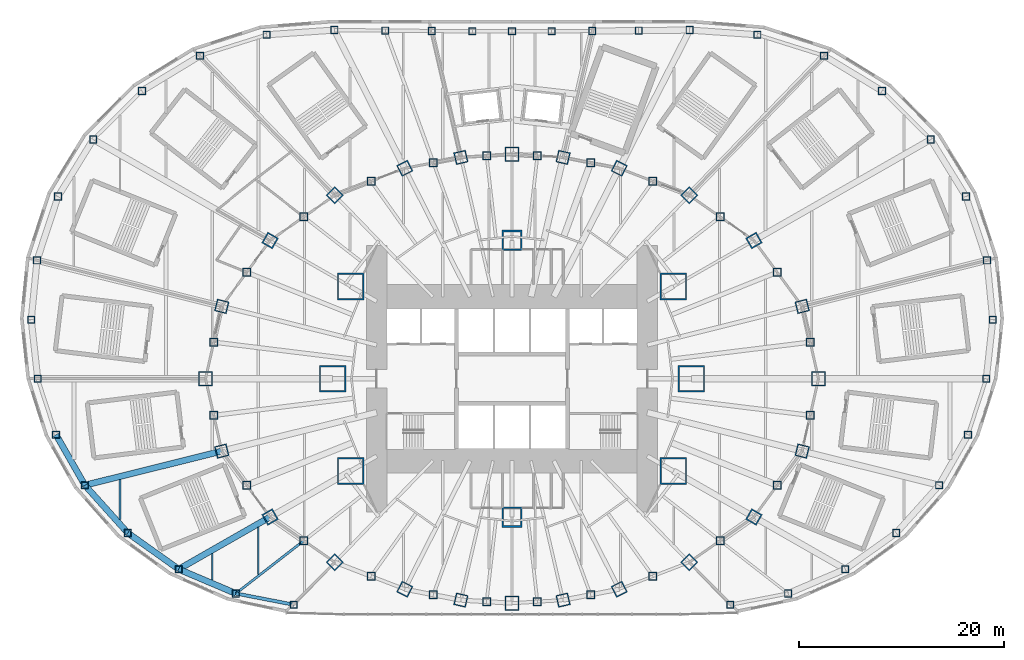
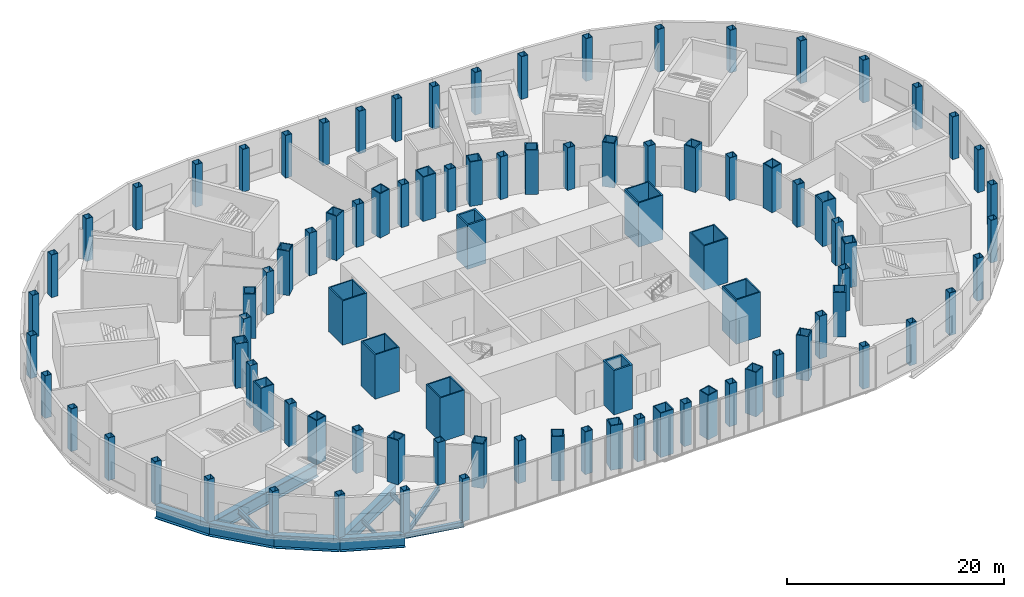
# One storey, part 1 of 73: 93 columns, 11 beams.
"""IFC4 building model written with IfcOpenShell, lengths in metres."""

from ifc_helpers import new_model, si_unit, direction, frame, origin, origin_2d, place, context, subcontext, project, spatial, rectangle, hollow_rectangle, i_section, extrude, material, material_profile, profile_set, type_object, element, save


model = new_model("IFC4")

# Units and contexts
model_context = context("Model", 3, precision=1e-05, world=origin(), true_north=direction((0.0, 1.0)))
body_context = subcontext(model_context, "Body", "Model", "MODEL_VIEW")
ifc_project = project(units=[si_unit("LENGTHUNIT", "METRE"), si_unit("AREAUNIT", "SQUARE_METRE"), si_unit("VOLUMEUNIT", "CUBIC_METRE"), si_unit("PLANEANGLEUNIT", "RADIAN"), si_unit("MASSUNIT", "GRAM", prefix="KILO")], contexts=[model_context])

# Site, building, storey
site_placement = place(None, origin())
site = spatial("IfcSite", under=ifc_project, at=site_placement, CompositionType="ELEMENT")
building_placement = place(site_placement, origin())
building = spatial("IfcBuilding", under=site, at=building_placement, Name="Lantaw Convention Tower", CompositionType="ELEMENT")
storey_placement = place(building_placement, frame((0.0, 0.0, 27.0)))
storey = spatial("IfcBuildingStorey", under=building, at=storey_placement, Name="L04", CompositionType="ELEMENT", Elevation=27.0)

# Columns
ifc_material_1 = material(Name="Steel EN 10025-3 S460N", Category="steel")
ifc_material_profile_1 = material_profile(ifc_material_1, hollow_rectangle(XDim=2.0, YDim=2.0, WallThickness=0.169921875, at=origin_2d()), Name="BOX2000X170")
ifc_material_2 = material(Name="Concrete C60/75", Category="concrete")
ifc_material_profile_2 = material_profile(ifc_material_2, rectangle(XDim=1.659912109375, YDim=1.659912109375, at=origin_2d()), Name="Concrete fill of BOX2000X170")
ifc_profile_set_1 = profile_set([ifc_material_profile_1, ifc_material_profile_2], Name="Steel EN 10025-3 S460N")
column_type_1 = type_object("IfcColumnType", Name="Column MC BOX2000X170", PredefinedType="COLUMN", material=ifc_profile_set_1)
for number, where, z_axis, x_axis, name in (
    (1, (0.0, 13.5, 0.0), (0.0, 0.0, 1.0), (1.0, 0.0, 0.0), "Mega column M3"),
    (2, (0.0, -13.5, 0.0), (0.0, 0.0, 1.0), (1.0, 0.0, 0.0), "Mega column M7"),
):
    element("IfcColumn", number, at=place(storey_placement, frame(where, z_axis=z_axis, x_axis=x_axis)), inside=storey, type_object=column_type_1, Name=name, PredefinedType="COLUMN", context=body_context, shape_type="SweptSolid", body=[
        extrude(hollow_rectangle(XDim=2.0, YDim=2.0, WallThickness=0.169921875, at=origin_2d()), origin(), (0.0, 0.0, 1.0), 5.0),
    ])
ifc_material_profile_3 = material_profile(ifc_material_1, hollow_rectangle(XDim=2.60009765625, YDim=2.60009765625, WallThickness=0.1298828125, at=origin_2d()), Name="BOX2600X130")
ifc_material_profile_4 = material_profile(ifc_material_2, rectangle(XDim=2.340087890625, YDim=2.340087890625, at=origin_2d()), Name="Concrete fill of BOX2600X130")
ifc_profile_set_2 = profile_set([ifc_material_profile_3, ifc_material_profile_4], Name="Steel EN 10025-3 S460N")
column_type_2 = type_object("IfcColumnType", Name="Column MC BOX2600X130", PredefinedType="COLUMN", material=ifc_profile_set_2)
for number, where, z_axis, x_axis, name in (
    (3, (17.5, 0.0, 0.0), (0.0, 0.0, 1.0), (1.0, 0.0, 0.0), "Mega column M1"),
    (4, (15.75, 9.0, 0.0), (0.0, 0.0, 1.0), (1.0, 0.0, 0.0), "Mega column M2"),
    (5, (-15.75, 9.0, 0.0), (0.0, 0.0, 1.0), (1.0, 0.0, 0.0), "Mega column M4"),
    (6, (-17.5, 0.0, 0.0), (0.0, 0.0, 1.0), (1.0, 0.0, 0.0), "Mega column M5"),
    (7, (-15.75, -9.0, 0.0), (0.0, 0.0, 1.0), (1.0, 0.0, 0.0), "Mega column M6"),
    (8, (15.75, -9.0, 0.0), (0.0, 0.0, 1.0), (1.0, 0.0, 0.0), "Mega column M8"),
):
    element("IfcColumn", number, at=place(storey_placement, frame(where, z_axis=z_axis, x_axis=x_axis)), inside=storey, type_object=column_type_2, Name=name, PredefinedType="COLUMN", context=body_context, shape_type="SweptSolid", body=[
        extrude(hollow_rectangle(XDim=2.60009765625, YDim=2.60009765625, WallThickness=0.1298828125, at=origin_2d()), origin(), (0.0, 0.0, 1.0), 5.0),
    ])
ifc_material_profile_5 = material_profile(ifc_material_1, hollow_rectangle(XDim=1.199951171875, YDim=1.199951171875, WallThickness=0.10009765625, at=origin_2d()), Name="BOX1200X100")
ifc_material_profile_6 = material_profile(ifc_material_2, rectangle(XDim=1.0, YDim=1.0, at=origin_2d()), Name="Concrete fill of BOX1200X100")
ifc_profile_set_3 = profile_set([ifc_material_profile_5, ifc_material_profile_6], Name="Steel EN 10025-3 S460N")
column_type_3 = type_object("IfcColumnType", Name="Column PC BOX1200X100", PredefinedType="COLUMN", material=ifc_profile_set_3)
for number, where, z_axis, x_axis, name in (
    (9, (28.31787109375, 7.060302734375, 0.0), (0.0, 0.0, 1.0), (0.970295726276, 0.2419218956, 0.0), "Perimeter column P2"),
    (10, (17.290771484375, 17.9052734375, 0.0), (0.0, 0.0, 1.0), (0.694658370459, 0.719339800339, 0.0), "Perimeter column P4"),
    (11, (10.462646484375, 20.533935546875, 0.0), (0.0, 0.0, 1.0), (0.45399049974, 0.891006524188, 0.0), "Perimeter column P5"),
    (12, (4.986328125, 21.59814453125, 0.0), (0.0, 0.0, 1.0), (0.224951054344, 0.974370064785, 0.0), "Perimeter column P6"),
    (13, (-4.986328125, 21.59814453125, 0.0), (0.0, 0.0, 1.0), (0.974370064785, 0.224951054344, 0.0), "Perimeter column P8"),
    (14, (-10.462646484375, 20.533935546875, 0.0), (0.0, 0.0, 1.0), (0.891006524188, 0.45399049974, 0.0), "Perimeter column P9"),
    (15, (-17.290771484375, 17.9052734375, 0.0), (0.0, 0.0, 1.0), (0.719339800339, 0.694658370459, 0.0), "Perimeter column P10"),
    (16, (-28.31787109375, 7.060302734375, 0.0), (0.0, 0.0, 1.0), (0.2419218956, 0.970295726276, 0.0), "Perimeter column P12"),
    (17, (-28.31787109375, -7.060302734375, 0.0), (0.0, 0.0, 1.0), (0.970295726276, 0.2419218956, 0.0), "Perimeter column P14"),
    (18, (-17.290771484375, -17.9052734375, 0.0), (0.0, 0.0, 1.0), (0.694658370459, 0.719339800339, 0.0), "Perimeter column P16"),
    (19, (-10.462646484375, -20.533935546875, 0.0), (0.0, 0.0, 1.0), (0.45399049974, 0.891006524188, 0.0), "Perimeter column P17"),
    (20, (-4.986328125, -21.59814453125, 0.0), (0.0, 0.0, 1.0), (0.224951054344, 0.974370064785, 0.0), "Perimeter column P18"),
    (21, (4.986328125, -21.59814453125, 0.0), (0.0, 0.0, 1.0), (0.974370064785, 0.224951054344, 0.0), "Perimeter column P20"),
    (22, (10.462646484375, -20.533935546875, 0.0), (0.0, 0.0, 1.0), (0.891006524188, 0.45399049974, 0.0), "Perimeter column P21"),
    (23, (17.290771484375, -17.9052734375, 0.0), (0.0, 0.0, 1.0), (0.719339800339, 0.694658370459, 0.0), "Perimeter column P22"),
    (24, (28.31787109375, -7.060302734375, 0.0), (0.0, 0.0, 1.0), (0.2419218956, 0.970295726276, 0.0), "Perimeter column P24"),
):
    element("IfcColumn", number, at=place(storey_placement, frame(where, z_axis=z_axis, x_axis=x_axis)), inside=storey, type_object=column_type_3, Name=name, PredefinedType="COLUMN", context=body_context, shape_type="SweptSolid", body=[
        extrude(hollow_rectangle(XDim=1.199951171875, YDim=1.199951171875, WallThickness=0.10009765625, at=origin_2d()), origin(), (0.0, 0.0, 1.0), 5.0),
    ])
ifc_material_profile_7 = material_profile(ifc_material_1, hollow_rectangle(XDim=1.199951171875, YDim=1.199951171875, WallThickness=0.1201171875, at=origin_2d()), Name="BOX1200X120")
ifc_material_profile_8 = material_profile(ifc_material_2, rectangle(XDim=0.9599609375, YDim=0.9599609375, at=origin_2d()), Name="Concrete fill of BOX1200X120")
ifc_profile_set_4 = profile_set([ifc_material_profile_7, ifc_material_profile_8], Name="Steel EN 10025-3 S460N")
column_type_4 = type_object("IfcColumnType", Name="Column PC BOX1200X120", PredefinedType="COLUMN", material=ifc_profile_set_4)
for number, where, z_axis, x_axis, name in (
    (25, (23.60498046875, 13.488525390625, 0.0), (0.0, 0.0, 1.0), (0.86824298017, 0.496139221777, 0.0), "Perimeter column P3"),
    (26, (-23.60498046875, 13.488525390625, 0.0), (0.0, 0.0, 1.0), (0.496139221777, 0.86824298017, 0.0), "Perimeter column P11"),
    (27, (-23.60498046875, -13.488525390625, 0.0), (0.0, 0.0, 1.0), (0.86824298017, 0.496139221777, 0.0), "Perimeter column P15"),
    (28, (23.60498046875, -13.488525390625, 0.0), (0.0, 0.0, 1.0), (0.496139221777, 0.86824298017, 0.0), "Perimeter column P23"),
):
    element("IfcColumn", number, at=place(storey_placement, frame(where, z_axis=z_axis, x_axis=x_axis)), inside=storey, type_object=column_type_4, Name=name, PredefinedType="COLUMN", context=body_context, shape_type="SweptSolid", body=[
        extrude(hollow_rectangle(XDim=1.199951171875, YDim=1.199951171875, WallThickness=0.1201171875, at=origin_2d()), origin(), (0.0, 0.0, 1.0), 5.0),
    ])
ifc_material_profile_9 = material_profile(ifc_material_1, hollow_rectangle(XDim=1.39990234375, YDim=1.39990234375, WallThickness=0.10009765625, at=origin_2d()), Name="BOX1400X100")
ifc_material_profile_10 = material_profile(ifc_material_2, rectangle(XDim=1.199951171875, YDim=1.199951171875, at=origin_2d()), Name="Concrete fill of BOX1400X100")
ifc_profile_set_5 = profile_set([ifc_material_profile_9, ifc_material_profile_10], Name="Steel EN 10025-3 S460N")
column_type_5 = type_object("IfcColumnType", Name="Column PC BOX1400X100", PredefinedType="COLUMN", material=ifc_profile_set_5)
for number, where, z_axis, x_axis, name in (
    (29, (29.89990234375, 0.0, 0.0), (0.0, 0.0, 1.0), (1.0, 0.0, 0.0), "Perimeter column P1"),
    (30, (0.0, 21.89990234375, 0.0), (0.0, 0.0, 1.0), (1.0, 0.0, 0.0), "Perimeter column P7"),
    (31, (-29.89990234375, 0.0, 0.0), (0.0, 0.0, 1.0), (1.0, 0.0, 0.0), "Perimeter column P13"),
    (32, (0.0, -21.89990234375, 0.0), (0.0, 0.0, 1.0), (1.0, 0.0, 0.0), "Perimeter column P19"),
):
    element("IfcColumn", number, at=place(storey_placement, frame(where, z_axis=z_axis, x_axis=x_axis)), inside=storey, type_object=column_type_5, Name=name, PredefinedType="COLUMN", context=body_context, shape_type="SweptSolid", body=[
        extrude(hollow_rectangle(XDim=1.39990234375, YDim=1.39990234375, WallThickness=0.10009765625, at=origin_2d()), origin(), (0.0, 0.0, 1.0), 5.0),
    ])
ifc_material_3 = material(Name="Steel ASTM A572 Grade 50", Category="steel")
ifc_material_profile_11 = material_profile(ifc_material_3, hollow_rectangle(XDim=0.800048828125, YDim=0.800048828125, WallThickness=0.050048828125, at=origin_2d()), Name="BOX800X50")
ifc_profile_set_6 = profile_set([ifc_material_profile_11], Name="Steel ASTM A572 Grade 50")
column_type_6 = type_object("IfcColumnType", Name="Column QC BOX800X50", PredefinedType="COLUMN", material=ifc_profile_set_6)
for number, where, z_axis, x_axis, name in (
    (33, (29.099365234375, 3.572998046875, 0.0), (0.0, 0.0, 1.0), (1.0, 0.0, 0.0), "Podium ring column Q1"),
    (34, (25.8779296875, 10.388427734375, 0.0), (0.0, 0.0, 1.0), (1.0, 0.0, 0.0), "Podium ring column Q2"),
    (35, (20.30859375, 15.794189453125, 0.0), (0.0, 0.0, 1.0), (1.0, 0.0, 0.0), "Podium ring column Q3"),
    (36, (13.745361328125, 19.270263671875, 0.0), (0.0, 0.0, 1.0), (1.0, 0.0, 0.0), "Podium ring column Q4"),
    (37, (7.671142578125, 21.076416015625, 0.0), (0.0, 0.0, 1.0), (1.0, 0.0, 0.0), "Podium ring column Q5"),
    (38, (2.47802734375, 21.75, 0.0), (0.0, 0.0, 1.0), (1.0, 0.0, 0.0), "Podium ring column Q6"),
    (39, (-2.47802734375, 21.75, 0.0), (0.0, 0.0, 1.0), (1.0, 0.0, 0.0), "Podium ring column Q7"),
    (40, (-7.671142578125, 21.076416015625, 0.0), (0.0, 0.0, 1.0), (1.0, 0.0, 0.0), "Podium ring column Q8"),
    (41, (-13.745361328125, 19.270263671875, 0.0), (0.0, 0.0, 1.0), (1.0, 0.0, 0.0), "Podium ring column Q9"),
    (42, (-20.30859375, 15.794189453125, 0.0), (0.0, 0.0, 1.0), (1.0, 0.0, 0.0), "Podium ring column Q10"),
    (43, (-25.8779296875, 10.388427734375, 0.0), (0.0, 0.0, 1.0), (1.0, 0.0, 0.0), "Podium ring column Q11"),
    (44, (-29.099365234375, 3.572998046875, 0.0), (0.0, 0.0, 1.0), (1.0, 0.0, 0.0), "Podium ring column Q12"),
    (45, (-29.099365234375, -3.572998046875, 0.0), (0.0, 0.0, 1.0), (1.0, 0.0, 0.0), "Podium ring column Q13"),
    (46, (-25.8779296875, -10.388427734375, 0.0), (0.0, 0.0, 1.0), (1.0, 0.0, 0.0), "Podium ring column Q14"),
    (47, (-20.30859375, -15.794189453125, 0.0), (0.0, 0.0, 1.0), (1.0, 0.0, 0.0), "Podium ring column Q15"),
    (48, (-13.745361328125, -19.270263671875, 0.0), (0.0, 0.0, 1.0), (1.0, 0.0, 0.0), "Podium ring column Q16"),
    (49, (-7.671142578125, -21.076416015625, 0.0), (0.0, 0.0, 1.0), (1.0, 0.0, 0.0), "Podium ring column Q17"),
    (50, (-2.47802734375, -21.75, 0.0), (0.0, 0.0, 1.0), (1.0, 0.0, 0.0), "Podium ring column Q18"),
    (51, (2.47802734375, -21.75, 0.0), (0.0, 0.0, 1.0), (1.0, 0.0, 0.0), "Podium ring column Q19"),
    (52, (7.671142578125, -21.076416015625, 0.0), (0.0, 0.0, 1.0), (1.0, 0.0, 0.0), "Podium ring column Q20"),
    (53, (13.745361328125, -19.270263671875, 0.0), (0.0, 0.0, 1.0), (1.0, 0.0, 0.0), "Podium ring column Q21"),
    (54, (20.308837890625, -15.794189453125, 0.0), (0.0, 0.0, 1.0), (1.0, 0.0, 0.0), "Podium ring column Q22"),
    (55, (25.8779296875, -10.388427734375, 0.0), (0.0, 0.0, 1.0), (1.0, 0.0, 0.0), "Podium ring column Q23"),
    (56, (29.099365234375, -3.572998046875, 0.0), (0.0, 0.0, 1.0), (1.0, 0.0, 0.0), "Podium ring column Q24"),
):
    element("IfcColumn", number, at=place(storey_placement, frame(where, z_axis=z_axis, x_axis=x_axis)), inside=storey, type_object=column_type_6, Name=name, PredefinedType="COLUMN", context=body_context, shape_type="SweptSolid", body=[
        extrude(hollow_rectangle(XDim=0.800048828125, YDim=0.800048828125, WallThickness=0.050048828125, at=origin_2d()), origin(), (0.0, 0.0, 1.0), 4.800048828125),
    ])
ifc_material_profile_12 = material_profile(ifc_material_3, hollow_rectangle(XDim=0.699951171875, YDim=0.699951171875, WallThickness=0.0400390625, at=origin_2d()), Name="BOX700X40")
ifc_profile_set_7 = profile_set([ifc_material_profile_12], Name="Steel ASTM A572 Grade 50")
column_type_7 = type_object("IfcColumnType", Name="Column RC BOX700X40", PredefinedType="COLUMN", material=ifc_profile_set_7)
for number, where, z_axis, x_axis, name in (
    (57, (46.907958984375, 5.759521484375, 0.0), (0.0, 0.0, 1.0), (1.0, 0.0, 0.0), "Podium column B00"),
    (58, (44.29248046875, 17.78076171875, 0.0), (0.0, 0.0, 1.0), (1.0, 0.0, 0.0), "Podium column B01"),
    (59, (36.107666015625, 28.081298828125, 0.0), (0.0, 0.0, 1.0), (1.0, 0.0, 0.0), "Podium column B02"),
    (60, (23.940185546875, 33.562744140625, 0.0), (0.0, 0.0, 1.0), (1.0, 0.0, 0.0), "Podium column B03"),
    (61, (12.36279296875, 33.96630859375, 0.0), (0.0, 0.0, 1.0), (1.0, 0.0, 0.0), "Podium column B04"),
    (62, (3.86328125, 33.906982421875, 0.0), (0.0, 0.0, 1.0), (1.0, 0.0, 0.0), "Podium column B05"),
    (63, (-3.86328125, 33.906982421875, 0.0), (0.0, 0.0, 1.0), (1.0, 0.0, 0.0), "Podium column B06"),
    (64, (-12.36279296875, 33.96630859375, 0.0), (0.0, 0.0, 1.0), (1.0, 0.0, 0.0), "Podium column B07"),
    (65, (-23.940185546875, 33.562744140625, 0.0), (0.0, 0.0, 1.0), (1.0, 0.0, 0.0), "Podium column B08"),
    (66, (-36.107666015625, 28.081298828125, 0.0), (0.0, 0.0, 1.0), (1.0, 0.0, 0.0), "Podium column B09"),
    (67, (-44.29248046875, 17.78076171875, 0.0), (0.0, 0.0, 1.0), (1.0, 0.0, 0.0), "Podium column B10"),
    (68, (-46.907958984375, 5.759521484375, 0.0), (0.0, 0.0, 1.0), (1.0, 0.0, 0.0), "Podium column B11"),
    (69, (-44.488525390625, -5.46240234375, 0.0), (0.0, 0.0, 1.0), (1.0, 0.0, 0.0), "Podium column B12"),
    (70, (-37.486572265625, -15.048583984375, 0.0), (0.0, 0.0, 1.0), (1.0, 0.0, 0.0), "Podium column B13"),
    (71, (-26.94287109375, -20.95361328125, 0.0), (0.0, 0.0, 1.0), (1.0, 0.0, 0.0), "Podium column B14"),
    (72, (26.94287109375, -20.95361328125, 0.0), (0.0, 0.0, 1.0), (1.0, 0.0, 0.0), "Podium column B21"),
    (73, (37.486572265625, -15.048583984375, 0.0), (0.0, 0.0, 1.0), (1.0, 0.0, 0.0), "Podium column B22"),
    (74, (44.488525390625, -5.46240234375, 0.0), (0.0, 0.0, 1.0), (1.0, 0.0, 0.0), "Podium column B23"),
    (75, (46.2724609375, 0.0, 0.0), (0.0, 0.0, 1.0), (1.0, 0.0, 0.0), "Podium column R00"),
    (76, (46.342529296875, 11.554443359375, 0.0), (0.0, 0.0, 1.0), (1.0, 0.0, 0.0), "Podium column R01"),
    (77, (40.864013671875, 23.350830078125, 0.0), (0.0, 0.0, 1.0), (1.0, 0.0, 0.0), "Podium column R02"),
    (78, (30.43603515625, 31.517578125, 0.0), (0.0, 0.0, 1.0), (1.0, 0.0, 0.0), "Podium column R03"),
    (79, (17.333984375, 34.019775390625, 0.0), (0.0, 0.0, 1.0), (1.0, 0.0, 0.0), "Podium column R04"),
    (80, (7.8330078125, 33.92822265625, 0.0), (0.0, 0.0, 1.0), (1.0, 0.0, 0.0), "Podium column R05"),
    (81, (0.0, 33.89990234375, 0.0), (0.0, 0.0, 1.0), (1.0, 0.0, 0.0), "Podium column R06"),
    (82, (-7.8330078125, 33.92822265625, 0.0), (0.0, 0.0, 1.0), (1.0, 0.0, 0.0), "Podium column R07"),
    (83, (-17.333984375, 34.019775390625, 0.0), (0.0, 0.0, 1.0), (1.0, 0.0, 0.0), "Podium column R08"),
    (84, (-30.43603515625, 31.517578125, 0.0), (0.0, 0.0, 1.0), (1.0, 0.0, 0.0), "Podium column R09"),
    (85, (-40.864013671875, 23.350830078125, 0.0), (0.0, 0.0, 1.0), (1.0, 0.0, 0.0), "Podium column R10"),
    (86, (-46.342529296875, 11.554443359375, 0.0), (0.0, 0.0, 1.0), (1.0, 0.0, 0.0), "Podium column R11"),
    (87, (-46.2724609375, 0.0, 0.0), (0.0, 0.0, 1.0), (1.0, 0.0, 0.0), "Podium column R12"),
    (88, (-41.67236328125, -10.39013671875, 0.0), (0.0, 0.0, 1.0), (1.0, 0.0, 0.0), "Podium column R13"),
    (89, (-32.5205078125, -18.5830078125, 0.0), (0.0, 0.0, 1.0), (1.0, 0.0, 0.0), "Podium column R14"),
    (90, (-21.290771484375, -22.04736328125, 0.0), (0.0, 0.0, 1.0), (1.0, 0.0, 0.0), "Podium column R15"),
    (91, (21.290771484375, -22.04736328125, 0.0), (0.0, 0.0, 1.0), (1.0, 0.0, 0.0), "Podium column R21"),
    (92, (32.5205078125, -18.5830078125, 0.0), (0.0, 0.0, 1.0), (1.0, 0.0, 0.0), "Podium column R22"),
    (93, (41.67236328125, -10.39013671875, 0.0), (0.0, 0.0, 1.0), (1.0, 0.0, 0.0), "Podium column R23"),
):
    element("IfcColumn", number, at=place(storey_placement, frame(where, z_axis=z_axis, x_axis=x_axis)), inside=storey, type_object=column_type_7, Name=name, PredefinedType="COLUMN", context=body_context, shape_type="SweptSolid", body=[
        extrude(hollow_rectangle(XDim=0.699951171875, YDim=0.699951171875, WallThickness=0.0400390625, at=origin_2d()), origin(), (0.0, 0.0, 1.0), 4.800048828125),
    ])

# Beams
ifc_material_profile_13 = material_profile(ifc_material_3, i_section(OverallWidth=0.60009765625, OverallDepth=1.5, WebThickness=0.02490234375, FlangeThickness=0.06005859375, at=origin_2d()), Name="PG1500X600X25X60")
ifc_profile_set_8 = profile_set([ifc_material_profile_13], Name="Steel ASTM A572 Grade 50")
beam_type_1 = type_object("IfcBeamType", Name="Beam E PG1500X600X25X60", PredefinedType="SPANDREL", material=ifc_profile_set_8)
beam_1_placement = place(storey_placement, frame((-44.488525390625, -5.46240234375, -0.949951171875), z_axis=(0.496180629465, -0.868219317306, 0.0), x_axis=(0.868219317306, 0.496180629465, 0.0)))
element("IfcBeam", 94, at=beam_1_placement, inside=storey, type_object=beam_type_1, Name="Podium edge beam B12", PredefinedType="SPANDREL", context=body_context, shape_type="SweptSolid", body=[
    extrude(i_section(OverallWidth=0.60009765625, OverallDepth=1.5, WebThickness=0.02490234375, FlangeThickness=0.06005859375, at=origin_2d()), origin(), (0.0, 0.0, 1.0), 5.67578125),
])
beam_2_placement = place(storey_placement, frame((-41.67236328125, -10.39013671875, -0.949951171875), z_axis=(0.668363614772, -0.74383471178, 0.0), x_axis=(0.74383471178, 0.668363614772, 0.0)))
element("IfcBeam", 95, at=beam_2_placement, inside=storey, type_object=beam_type_1, Name="Podium edge beam R13", PredefinedType="SPANDREL", context=body_context, shape_type="SweptSolid", body=[
    extrude(i_section(OverallWidth=0.60009765625, OverallDepth=1.5, WebThickness=0.02490234375, FlangeThickness=0.06005859375, at=origin_2d()), origin(), (0.0, 0.0, 1.0), 6.2626953125),
])
beam_3_placement = place(storey_placement, frame((-37.486572265625, -15.048583984375, -0.949951171875), z_axis=(0.814722795246, -0.579850641895, 0.0), x_axis=(0.579850641895, 0.814722795246, 0.0)))
element("IfcBeam", 96, at=beam_3_placement, inside=storey, type_object=beam_type_1, Name="Podium edge beam B13", PredefinedType="SPANDREL", context=body_context, shape_type="SweptSolid", body=[
    extrude(i_section(OverallWidth=0.60009765625, OverallDepth=1.5, WebThickness=0.02490234375, FlangeThickness=0.06005859375, at=origin_2d()), origin(), (0.0, 0.0, 1.0), 6.095458984375),
])
beam_4_placement = place(storey_placement, frame((-32.5205078125, -18.5830078125, -0.949951171875), z_axis=(0.920324392734, -0.391155994636, 0.0), x_axis=(0.391155994636, 0.920324392734, 0.0)))
element("IfcBeam", 97, at=beam_4_placement, inside=storey, type_object=beam_type_1, Name="Podium edge beam R14", PredefinedType="SPANDREL", context=body_context, shape_type="SweptSolid", body=[
    extrude(i_section(OverallWidth=0.60009765625, OverallDepth=1.5, WebThickness=0.02490234375, FlangeThickness=0.06005859375, at=origin_2d()), origin(), (0.0, 0.0, 1.0), 6.060546875),
])
ifc_material_4 = material(Name="Steel ASTM A992", Category="steel")
ifc_material_profile_14 = material_profile(ifc_material_4, i_section(OverallWidth=0.3251953125, OverallDepth=0.612060546875, WebThickness=0.0126953125, FlangeThickness=0.01904296875, FilletRadius=0.0126953125, at=origin_2d()), Name="W24X104")
ifc_profile_set_9 = profile_set([ifc_material_profile_14], Name="Steel ASTM A992")
beam_type_2 = type_object("IfcBeamType", Name="Beam E W24X104", PredefinedType="SPANDREL", material=ifc_profile_set_9)
beam_5_placement = place(storey_placement, frame((-26.94287109375, -20.95361328125, -0.506103515625), z_axis=(0.981786485539, -0.18998762279, 0.0), x_axis=(0.18998762279, 0.981786485539, 0.0)))
element("IfcBeam", 98, at=beam_5_placement, inside=storey, type_object=beam_type_2, Name="Podium edge beam B14", PredefinedType="SPANDREL", context=body_context, shape_type="SweptSolid", body=[
    extrude(i_section(OverallWidth=0.3251953125, OverallDepth=0.612060546875, WebThickness=0.0126953125, FlangeThickness=0.01904296875, FilletRadius=0.0126953125, at=origin_2d()), origin(), (0.0, 0.0, 1.0), 5.7568359375),
])
ifc_material_profile_15 = material_profile(ifc_material_4, i_section(OverallWidth=0.15234375, OverallDepth=0.449462890625, WebThickness=0.007568359375, FlangeThickness=0.0107421875, FilletRadius=0.01025390625, at=origin_2d()), Name="W18X35")
ifc_profile_set_10 = profile_set([ifc_material_profile_15], Name="Steel ASTM A992")
beam_type_3 = type_object("IfcBeamType", Name="Beam J W18X35", PredefinedType="JOIST", material=ifc_profile_set_10)
beam_6_placement = place(storey_placement, frame((-29.25, -19.647216796875, -0.4248046875), z_axis=(0.0, 1.0, 0.0), x_axis=(-1.0, 0.0, 0.0)))
element("IfcBeam", 99, at=beam_6_placement, inside=storey, type_object=beam_type_3, Name="Floor joist", PredefinedType="JOIST", context=body_context, shape_type="SweptSolid", body=[
    extrude(i_section(OverallWidth=0.15234375, OverallDepth=0.449462890625, WebThickness=0.007568359375, FlangeThickness=0.0107421875, FilletRadius=0.01025390625, at=origin_2d()), origin(), (0.0, 0.0, 1.0), 2.58740234375),
])
ifc_material_profile_16 = material_profile(ifc_material_4, i_section(OverallWidth=0.1650390625, OverallDepth=0.52587890625, WebThickness=0.0087890625, FlangeThickness=0.011474609375, FilletRadius=0.0126953125, at=origin_2d()), Name="W21X44")
ifc_profile_set_11 = profile_set([ifc_material_profile_16], Name="Steel ASTM A992")
beam_type_4 = type_object("IfcBeamType", Name="Beam J W21X44", PredefinedType="JOIST", material=ifc_profile_set_11)
beam_7_placement = place(storey_placement, frame((-24.75, -19.103271484375, -0.462890625), z_axis=(0.0, 1.0, 0.0), x_axis=(-1.0, 0.0, 0.0)))
element("IfcBeam", 100, at=beam_7_placement, inside=storey, type_object=beam_type_4, Name="Floor joist", PredefinedType="JOIST", context=body_context, shape_type="SweptSolid", body=[
    extrude(i_section(OverallWidth=0.1650390625, OverallDepth=0.52587890625, WebThickness=0.0087890625, FlangeThickness=0.011474609375, FilletRadius=0.0126953125, at=origin_2d()), origin(), (0.0, 0.0, 1.0), 4.614990234375),
])
ifc_material_profile_17 = material_profile(ifc_material_4, i_section(OverallWidth=0.22900390625, OverallDepth=0.612060546875, WebThickness=0.011962890625, FlangeThickness=0.01953125, FilletRadius=0.0126953125, at=origin_2d()), Name="W24X84")
ifc_profile_set_12 = profile_set([ifc_material_profile_17], Name="Steel ASTM A992")
beam_type_5 = type_object("IfcBeamType", Name="Beam J W24X84", PredefinedType="JOIST", material=ifc_profile_set_12)
beam_8_placement = place(storey_placement, frame((-38.25, -13.75, -0.506103515625), z_axis=(0.0, 1.0, 0.0), x_axis=(-1.0, 0.0, 0.0)))
element("IfcBeam", 101, at=beam_8_placement, inside=storey, type_object=beam_type_5, Name="Floor joist", PredefinedType="JOIST", context=body_context, shape_type="SweptSolid", body=[
    extrude(i_section(OverallWidth=0.22900390625, OverallDepth=0.612060546875, WebThickness=0.011962890625, FlangeThickness=0.01953125, FilletRadius=0.0126953125, at=origin_2d()), origin(), (0.0, 0.0, 1.0), 3.904052734375),
])
ifc_material_profile_18 = material_profile(ifc_material_3, i_section(OverallWidth=0.60009765625, OverallDepth=1.5, WebThickness=0.02490234375, FlangeThickness=0.06005859375, at=origin_2d()), Name="PG1500X600X25X60")
ifc_profile_set_13 = profile_set([ifc_material_profile_18], Name="Steel ASTM A572 Grade 50")
beam_type_6 = type_object("IfcBeamType", Name="Beam PG PG1500X600X25X60", PredefinedType="BEAM", material=ifc_profile_set_13)
beam_9_placement = place(storey_placement, frame((-28.31787109375, -7.060302734375, -0.949951171875), z_axis=(-0.97029256898, -0.24193455847, 0.0), x_axis=(0.24193455847, -0.97029256898, 0.0)))
element("IfcBeam", 102, at=beam_9_placement, inside=storey, type_object=beam_type_6, Name="Podium girder PR14", PredefinedType="BEAM", context=body_context, shape_type="SweptSolid", body=[
    extrude(i_section(OverallWidth=0.60009765625, OverallDepth=1.5, WebThickness=0.02490234375, FlangeThickness=0.06005859375, at=origin_2d()), origin(), (0.0, 0.0, 1.0), 13.763427734375),
])
beam_10_placement = place(storey_placement, frame((-23.60498046875, -13.488525390625, -0.949951171875), z_axis=(-0.868247531483, -0.4961312569, 0.0), x_axis=(0.4961312569, -0.868247531483, 0.0)))
element("IfcBeam", 103, at=beam_10_placement, inside=storey, type_object=beam_type_6, Name="Podium girder PR15", PredefinedType="BEAM", context=body_context, shape_type="SweptSolid", body=[
    extrude(i_section(OverallWidth=0.60009765625, OverallDepth=1.5, WebThickness=0.02490234375, FlangeThickness=0.06005859375, at=origin_2d()), origin(), (0.0, 0.0, 1.0), 10.268310546875),
])
ifc_material_profile_19 = material_profile(ifc_material_4, i_section(OverallWidth=0.22900390625, OverallDepth=0.612060546875, WebThickness=0.011962890625, FlangeThickness=0.01953125, FilletRadius=0.0126953125, at=origin_2d()), Name="W24X84")
ifc_profile_set_14 = profile_set([ifc_material_profile_19], Name="Steel ASTM A992")
beam_type_7 = type_object("IfcBeamType", Name="Beam PG W24X84", PredefinedType="BEAM", material=ifc_profile_set_14)
beam_11_placement = place(storey_placement, frame((-20.30859375, -15.794189453125, -0.506103515625), z_axis=(-0.789385064276, -0.613898379456, 0.0), x_axis=(0.613898379456, -0.789385064276, 0.0)))
element("IfcBeam", 104, at=beam_11_placement, inside=storey, type_object=beam_type_7, Name="Podium girder PB15", PredefinedType="BEAM", context=body_context, shape_type="SweptSolid", body=[
    extrude(i_section(OverallWidth=0.22900390625, OverallDepth=0.612060546875, WebThickness=0.011962890625, FlangeThickness=0.01953125, FilletRadius=0.0126953125, at=origin_2d()), origin(), (0.0, 0.0, 1.0), 8.404296875),
])

save(model, "model.ifc")
